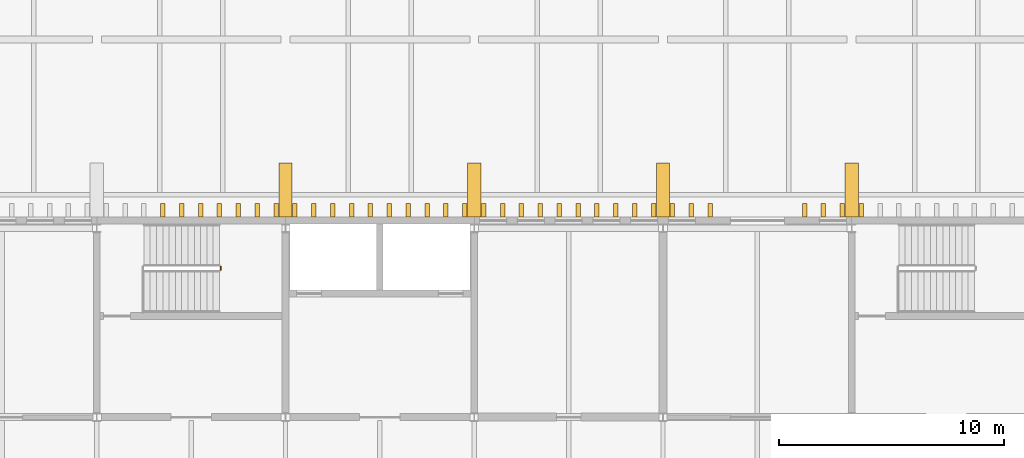
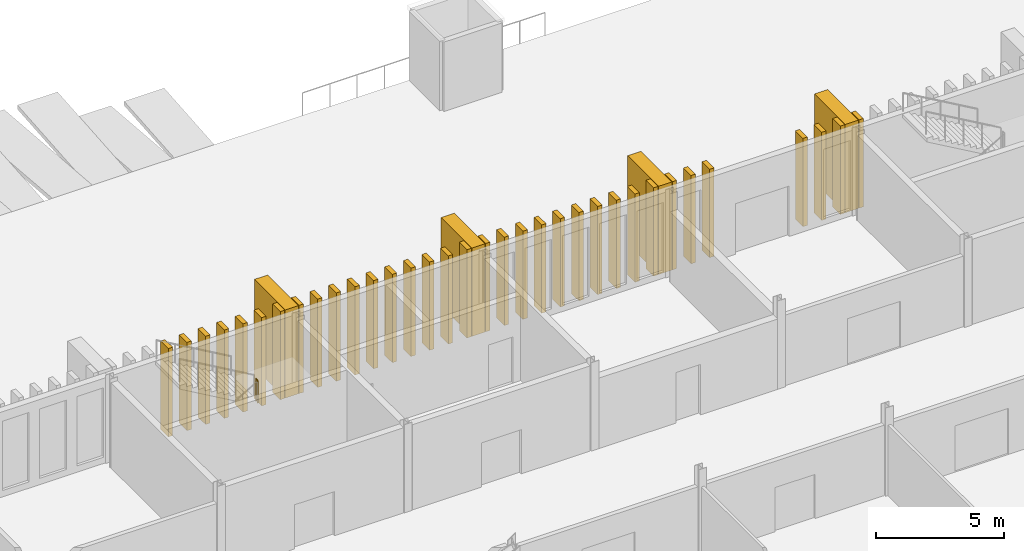
# One storey, part 85 of 96: 38 coverings, 1 railing.
"""IFC4 building model written with IfcOpenShell, lengths in metres."""

from ifc_helpers import new_model, si_unit, direction, frame, origin, origin_2d, place, context, subcontext, project, spatial, rectangle, circle, extrude, material, type_object, element, save


model = new_model("IFC4")

# Units and contexts
model_context = context("Model", 3, precision=1e-05, world=origin(), true_north=direction((0.0, 1.0)))
body_context = subcontext(model_context, "Body", "Model", "MODEL_VIEW")
ifc_project = project(units=[si_unit("LENGTHUNIT", "METRE"), si_unit("AREAUNIT", "SQUARE_METRE"), si_unit("VOLUMEUNIT", "CUBIC_METRE"), si_unit("PLANEANGLEUNIT", "RADIAN"), si_unit("MASSUNIT", "GRAM", prefix="KILO")], contexts=[model_context])

# Site, building, storey
site_placement = place(None, origin())
site = spatial("IfcSite", under=ifc_project, at=site_placement, CompositionType="ELEMENT")
building_placement = place(site_placement, origin())
building = spatial("IfcBuilding", under=site, at=building_placement, Name="Cresset Court Congress Hotel", CompositionType="ELEMENT")
storey_placement = place(building_placement, frame((0.0, 0.0, 6.0)))
storey = spatial("IfcBuildingStorey", under=building, at=storey_placement, Name="L01", CompositionType="ELEMENT", Elevation=6.0)

# Railing
ifc_material_1 = material(Name="Steel and laminated glass", Category="steel")
railing_type = type_object("IfcRailingType", Name="Guard 1100 steel and glass", PredefinedType="GUARDRAIL", material=ifc_material_1)
railing_placement = place(storey_placement, frame((106.31005859375, 23.35009765625, 2.10009765625)))
element("IfcRailing", 1, at=railing_placement, inside=storey, type_object=railing_type, Name="L01 ST-B4 stair guard 2", PredefinedType="GUARDRAIL", context=body_context, shape_type="SweptSolid", body=[
    extrude(circle(Radius=0.02392578125, at=origin_2d()), frame((0.0, 0.0, 1.076171875), z_axis=(0.0, 1.0, 0.0), x_axis=(-1.0, 0.0, 0.0)), (0.0, 0.0, 1.0), 0.14990234375),
    extrude(circle(Radius=0.02099609375, at=origin_2d()), origin(), (0.0, 0.0, 1.0), 1.052001953125),
    extrude(circle(Radius=0.02099609375, at=origin_2d()), frame((0.0, 0.14990234375, 0.0)), (0.0, 0.0, 1.0), 1.052001953125),
])

# Coverings
ifc_material_2 = material(Name="Precast concrete C50", Category="concrete")
covering_type_1 = type_object("IfcCoveringType", Name="Precast stone fin 200x600 variant 1", PredefinedType="CLADDING", material=ifc_material_2)
for number, where, z_axis, x_axis, name in (
    (2, (103.739990234375, 26.0, 0.0), (0.0, 0.0, 1.0), (1.0, 0.0, 0.0), "Fin N01-113"),
    (3, (104.580078125, 26.0, 0.0), (0.0, 0.0, 1.0), (1.0, 0.0, 0.0), "Fin N01-114"),
    (4, (105.419921875, 26.0, 0.0), (0.0, 0.0, 1.0), (1.0, 0.0, 0.0), "Fin N01-115"),
    (5, (106.260009765625, 26.0, 0.0), (0.0, 0.0, 1.0), (1.0, 0.0, 0.0), "Fin N01-116"),
    (6, (107.10009765625, 26.0, 0.0), (0.0, 0.0, 1.0), (1.0, 0.0, 0.0), "Fin N01-117"),
    (7, (107.93994140625, 26.0, 0.0), (0.0, 0.0, 1.0), (1.0, 0.0, 0.0), "Fin N01-118"),
    (8, (108.780029296875, 26.0, 0.0), (0.0, 0.0, 1.0), (1.0, 0.0, 0.0), "Fin N01-119"),
    (9, (109.6201171875, 26.0, 0.0), (0.0, 0.0, 1.0), (1.0, 0.0, 0.0), "Fin N01-120"),
    (10, (110.4599609375, 26.0, 0.0), (0.0, 0.0, 1.0), (1.0, 0.0, 0.0), "Fin N01-121"),
    (11, (111.300048828125, 26.0, 0.0), (0.0, 0.0, 1.0), (1.0, 0.0, 0.0), "Fin N01-122"),
    (12, (112.139892578125, 26.0, 0.0), (0.0, 0.0, 1.0), (1.0, 0.0, 0.0), "Fin N01-123"),
    (13, (112.97998046875, 26.0, 0.0), (0.0, 0.0, 1.0), (1.0, 0.0, 0.0), "Fin N01-124"),
    (14, (113.820068359375, 26.0, 0.0), (0.0, 0.0, 1.0), (1.0, 0.0, 0.0), "Fin N01-125"),
    (15, (114.659912109375, 26.0, 0.0), (0.0, 0.0, 1.0), (1.0, 0.0, 0.0), "Fin N01-126"),
    (16, (115.5, 26.0, 0.0), (0.0, 0.0, 1.0), (1.0, 0.0, 0.0), "Fin N01-127"),
    (17, (116.340087890625, 26.0, 0.0), (0.0, 0.0, 1.0), (1.0, 0.0, 0.0), "Fin N01-128"),
    (18, (117.179931640625, 26.0, 0.0), (0.0, 0.0, 1.0), (1.0, 0.0, 0.0), "Fin N01-129"),
    (19, (118.02001953125, 26.0, 0.0), (0.0, 0.0, 1.0), (1.0, 0.0, 0.0), "Fin N01-130"),
    (20, (118.860107421875, 26.0, 0.0), (0.0, 0.0, 1.0), (1.0, 0.0, 0.0), "Fin N01-131"),
    (21, (119.699951171875, 26.0, 0.0), (0.0, 0.0, 1.0), (1.0, 0.0, 0.0), "Fin N01-132"),
    (22, (120.5400390625, 26.0, 0.0), (0.0, 0.0, 1.0), (1.0, 0.0, 0.0), "Fin N01-133"),
    (23, (121.3798828125, 26.0, 0.0), (0.0, 0.0, 1.0), (1.0, 0.0, 0.0), "Fin N01-134"),
    (24, (122.219970703125, 26.0, 0.0), (0.0, 0.0, 1.0), (1.0, 0.0, 0.0), "Fin N01-135"),
    (25, (123.06005859375, 26.0, 0.0), (0.0, 0.0, 1.0), (1.0, 0.0, 0.0), "Fin N01-136"),
    (26, (123.89990234375, 26.0, 0.0), (0.0, 0.0, 1.0), (1.0, 0.0, 0.0), "Fin N01-137"),
    (27, (124.739990234375, 26.0, 0.0), (0.0, 0.0, 1.0), (1.0, 0.0, 0.0), "Fin N01-138"),
    (28, (125.580078125, 26.0, 0.0), (0.0, 0.0, 1.0), (1.0, 0.0, 0.0), "Fin N01-139"),
    (29, (126.419921875, 26.0, 0.0), (0.0, 0.0, 1.0), (1.0, 0.0, 0.0), "Fin N01-140"),
    (30, (127.260009765625, 26.0, 0.0), (0.0, 0.0, 1.0), (1.0, 0.0, 0.0), "Fin N01-141"),
    (31, (128.10009765625, 26.0, 0.0), (0.0, 0.0, 1.0), (1.0, 0.0, 0.0), "Fin N01-142"),
    (32, (132.300048828125, 26.0, 0.0), (0.0, 0.0, 1.0), (1.0, 0.0, 0.0), "Fin N01-147"),
    (33, (133.139892578125, 26.0, 0.0), (0.0, 0.0, 1.0), (1.0, 0.0, 0.0), "Fin N01-148"),
    (34, (133.97998046875, 26.0, 0.0), (0.0, 0.0, 1.0), (1.0, 0.0, 0.0), "Fin N01-149"),
    (35, (134.820068359375, 26.0, 0.0), (0.0, 0.0, 1.0), (1.0, 0.0, 0.0), "Fin N01-150"),
):
    element("IfcCovering", number, at=place(storey_placement, frame(where, z_axis=z_axis, x_axis=x_axis)), inside=storey, type_object=covering_type_1, Name=name, PredefinedType="CLADDING", context=body_context, shape_type="SweptSolid", body=[
        extrude(rectangle(XDim=0.199951171875, YDim=0.60009765625, at=origin_2d()), origin(), (0.0, 0.0, 1.0), 4.199951171875),
    ])
ifc_material_3 = material(Name="Precast concrete C50", Category="concrete")
covering_type_2 = type_object("IfcCoveringType", Name="Precast stone pier 600x2400", PredefinedType="CLADDING", material=ifc_material_3)
for number, where, z_axis, x_axis, name in (
    (36, (109.199951171875, 26.89990234375, 0.0), (0.0, 0.0, 1.0), (1.0, 0.0, 0.0), "Pier N01-12"),
    (37, (117.60009765625, 26.89990234375, 0.0), (0.0, 0.0, 1.0), (1.0, 0.0, 0.0), "Pier N01-13"),
    (38, (126.0, 26.89990234375, 0.0), (0.0, 0.0, 1.0), (1.0, 0.0, 0.0), "Pier N01-14"),
    (39, (134.39990234375, 26.89990234375, 0.0), (0.0, 0.0, 1.0), (1.0, 0.0, 0.0), "Pier N01-15"),
):
    element("IfcCovering", number, at=place(storey_placement, frame(where, z_axis=z_axis, x_axis=x_axis)), inside=storey, type_object=covering_type_2, Name=name, PredefinedType="CLADDING", context=body_context, shape_type="SweptSolid", body=[
        extrude(rectangle(XDim=0.60009765625, YDim=2.39990234375, at=origin_2d()), origin(), (0.0, 0.0, 1.0), 4.199951171875),
    ])

save(model, "model.ifc")
